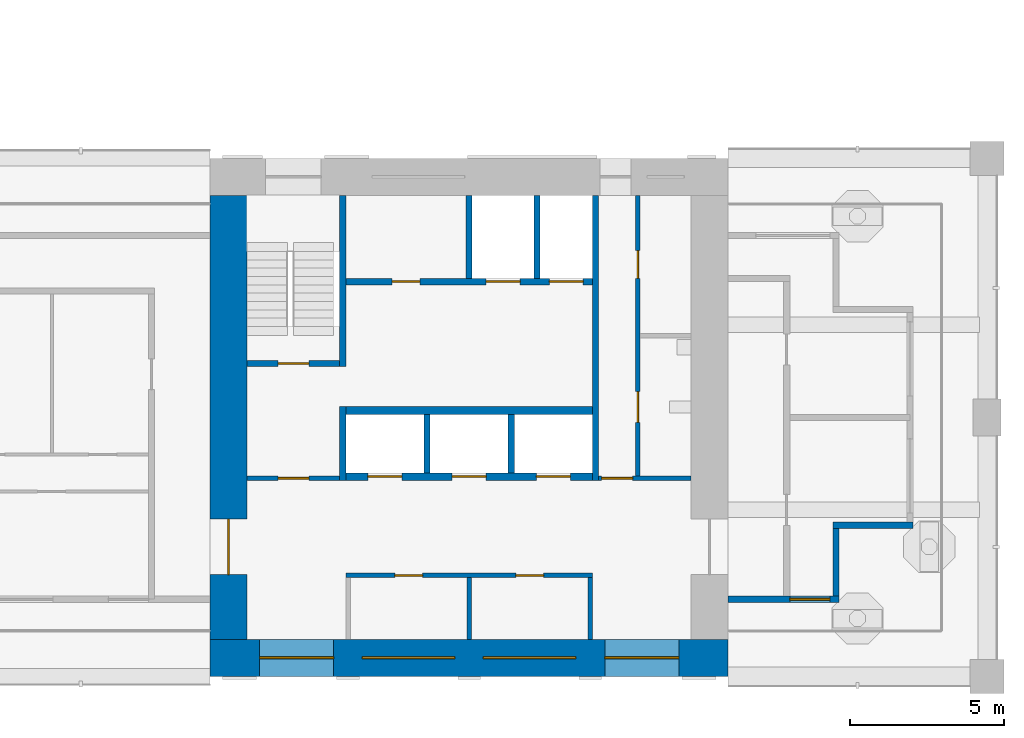
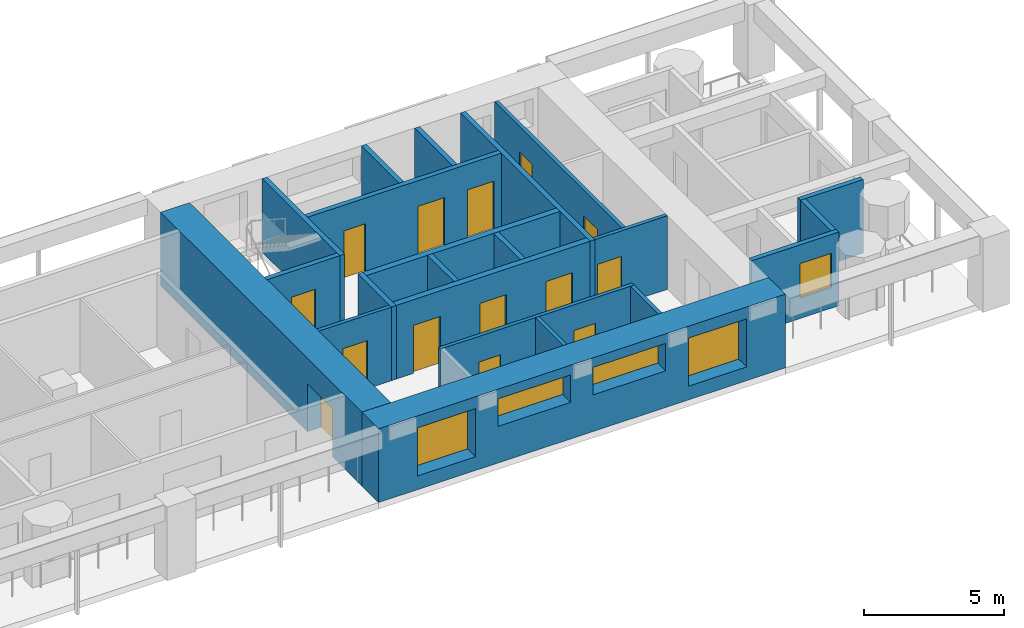
# One storey, part 4 of 13: 22 walls, 14 doors, 5 windows, 19 openings.
"""IFC4 building model written with IfcOpenShell, lengths in metres."""

from ifc_helpers import new_model, si_unit, direction, frame, frame_2d, origin, place, context, subcontext, project, spatial, rectangle, extrude, material, layer, layer_set, type_object, element, fill, save


model = new_model("IFC4")

# Units and contexts
model_context = context("Model", 3, precision=1e-05, world=origin(), true_north=direction((0.0, 1.0)))
body_context = subcontext(model_context, "Body", "Model", "MODEL_VIEW")
ifc_project = project(units=[si_unit("LENGTHUNIT", "METRE"), si_unit("AREAUNIT", "SQUARE_METRE"), si_unit("VOLUMEUNIT", "CUBIC_METRE"), si_unit("PLANEANGLEUNIT", "RADIAN"), si_unit("MASSUNIT", "GRAM", prefix="KILO")], contexts=[model_context])

# Site, building, storey
site_placement = place(None, origin())
site = spatial("IfcSite", under=ifc_project, at=site_placement, CompositionType="ELEMENT")
building_placement = place(site_placement, origin())
building = spatial("IfcBuilding", under=site, at=building_placement, Name="Vermilion Gate Residences", CompositionType="ELEMENT")
storey_placement = place(building_placement, frame((0.0, 0.0, 186.199951171875)))
storey = spatial("IfcBuildingStorey", under=building, at=storey_placement, Name="L48", CompositionType="ELEMENT", Elevation=186.199951171875)

# Walls
ifc_material_1 = material(Name="Masonry blockwork", Category="masonry")
ifc_layer_1 = layer(ifc_material_1, 0.14990234375)
ifc_layer_set_1 = layer_set([ifc_layer_1], Name="BLOCKWORK PARTITION 150 EI 120")
wall_type_1 = type_object("IfcWallType", Name="BLOCKWORK PARTITION 150 EI 120", PredefinedType="PARTITIONING", material=ifc_layer_set_1)
for number, where, z_axis, x_axis, name in (
    (1, (54.324951171875, 9.60009765625, 0.0), (0.0, 0.0, 1.0), (0.0, 1.0, 0.0), "Core room partition A48-RW-E"),
    (2, (50.39990234375, 9.60009765625, 0.0), (0.0, 0.0, 1.0), (0.0, 1.0, 0.0), "Core room partition A48-SR-P0"),
):
    element("IfcWall", number, at=place(storey_placement, frame(where, z_axis=z_axis, x_axis=x_axis)), inside=storey, type_object=wall_type_1, Name=name, PredefinedType="PARTITIONING", context=body_context, shape_type="SweptSolid", body=[
        extrude(rectangle(XDim=2.0, YDim=0.14990234375, at=frame_2d((1.0, 0.0))), origin(), (0.0, 0.0, 1.0), 3.219970703125),
    ])

# Wall, openings, doors
wall_1_placement = place(storey_placement, frame((46.39990234375, 11.675048828125, 0.0), z_axis=(0.0, 0.0, 1.0), x_axis=(1.0, 0.0, 0.0)))
wall_1 = element("IfcWall", 3, at=wall_1_placement, inside=storey, type_object=wall_type_1, Name="Core room partition A48-LR-F", PredefinedType="PARTITIONING", context=body_context, shape_type="SweptSolid", body=[
    extrude(rectangle(XDim=8.0, YDim=0.14990234375, at=frame_2d((4.0, 0.0))), origin(), (0.0, 0.0, 1.0), 3.219970703125),
])
opening_1_placement = place(wall_1_placement, frame((1.58740234375, 0.0, 0.0)))
opening_1 = element("IfcOpeningElement", 4, at=opening_1_placement, cuts=wall_1, Name="Opening DK48003", PredefinedType="OPENING", context=body_context, shape_type="SweptSolid", body=[
    extrude(rectangle(XDim=0.89990234375, YDim=2.10009765625, at=frame_2d((0.449951171875, 1.050048828125))), frame((0.0, 0.0849609375, 0.0), z_axis=(0.0, -1.0, 0.0), x_axis=(1.0, 0.0, 0.0)), (0.0, 0.0, 1.0), 0.169921875),
])
opening_2_placement = place(wall_1_placement, frame((5.512451171875, 0.0, 0.0)))
opening_2 = element("IfcOpeningElement", 5, at=opening_2_placement, cuts=wall_1, Name="Opening DK48004", PredefinedType="OPENING", context=body_context, shape_type="SweptSolid", body=[
    extrude(rectangle(XDim=0.89990234375, YDim=2.10009765625, at=frame_2d((0.449951171875, 1.050048828125))), frame((0.0, 0.0849609375, 0.0), z_axis=(0.0, -1.0, 0.0), x_axis=(1.0, 0.0, 0.0)), (0.0, 0.0, 1.0), 0.169921875),
])
ifc_material_2 = material(Name="Steel", Category="steel")
door_type_1 = type_object("IfcDoorType", Name="SERVICE ROOM DOOR FD60 900 X 2100", OperationType="SINGLE_SWING_LEFT", PredefinedType="DOOR", material=ifc_material_2)
door_1_placement = place(opening_1_placement, frame((0.89990234375, 0.0, 0.0), z_axis=(0.0, 0.0, 1.0), x_axis=(-1.0, 0.0, 0.0)))
door_1 = element("IfcDoor", 6, at=door_1_placement, inside=storey, type_object=door_type_1, Name="Mail room A48", OperationType="SINGLE_SWING_RIGHT", OverallHeight=2.10009765625, OverallWidth=0.89990234375, PredefinedType="DOOR", context=body_context, shape_type="SweptSolid", body=[
    extrude(rectangle(XDim=0.89990234375, YDim=2.10009765625, at=frame_2d((0.449951171875, 1.050048828125))), frame((0.0, 0.02490234375, 0.0), z_axis=(0.0, -1.0, 0.0), x_axis=(1.0, 0.0, 0.0)), (0.0, 0.0, 1.0), 0.050048828125),
])
fill(opening_1, door_1)
door_2_placement = place(opening_2_placement, frame((0.89990234375, 0.0, 0.0), z_axis=(0.0, 0.0, 1.0), x_axis=(-1.0, 0.0, 0.0)))
door_2 = element("IfcDoor", 7, at=door_2_placement, inside=storey, type_object=door_type_1, Name="Cleaner's store A48", OperationType="SINGLE_SWING_RIGHT", OverallHeight=2.10009765625, OverallWidth=0.89990234375, PredefinedType="DOOR", context=body_context, shape_type="SweptSolid", body=[
    extrude(rectangle(XDim=0.89990234375, YDim=2.10009765625, at=frame_2d((0.449951171875, 1.050048828125))), frame((0.0, 0.02490234375, 0.0), z_axis=(0.0, -1.0, 0.0), x_axis=(1.0, 0.0, 0.0)), (0.0, 0.0, 1.0), 0.050048828125),
])
fill(opening_2, door_2)

# Wall, opening, door
wall_2_placement = place(storey_placement, frame((43.199951171875, 14.824951171875, 0.0), z_axis=(0.0, 0.0, 1.0), x_axis=(1.0, 0.0, 0.0)))
wall_2 = element("IfcWall", 8, at=wall_2_placement, inside=storey, type_object=wall_type_1, Name="Core room partition A48-VW-S", PredefinedType="PARTITIONING", context=body_context, shape_type="SweptSolid", body=[
    extrude(rectangle(XDim=3.0, YDim=0.14990234375, at=frame_2d((1.5, 0.0))), origin(), (0.0, 0.0, 1.0), 3.219970703125),
])
opening_3_placement = place(wall_2_placement, frame((1.0, 0.0, 0.0)))
opening_3 = element("IfcOpeningElement", 9, at=opening_3_placement, cuts=wall_2, Name="Opening DK48011", PredefinedType="OPENING", context=body_context, shape_type="SweptSolid", body=[
    extrude(rectangle(XDim=1.0, YDim=2.10009765625, at=frame_2d((0.5, 1.050048828125))), frame((0.0, 0.0849609375, 0.0), z_axis=(0.0, -1.0, 0.0), x_axis=(1.0, 0.0, 0.0)), (0.0, 0.0, 1.0), 0.169921875),
])
ifc_material_3 = material(Name="Steel", Category="steel")
door_type_2 = type_object("IfcDoorType", Name="FIRE DOOR FD60 1000 X 2100", OperationType="SINGLE_SWING_LEFT", PredefinedType="DOOR", material=ifc_material_3)
door_3_placement = place(opening_3_placement, frame((1.0, 0.0, 0.0), z_axis=(0.0, 0.0, 1.0), x_axis=(-1.0, 0.0, 0.0)))
door_3 = element("IfcDoor", 10, at=door_3_placement, inside=storey, type_object=door_type_2, Name="Stair vestibule door A48", OperationType="SINGLE_SWING_RIGHT", OverallHeight=2.10009765625, OverallWidth=1.0, PredefinedType="DOOR", context=body_context, shape_type="SweptSolid", body=[
    extrude(rectangle(XDim=1.0, YDim=2.10009765625, at=frame_2d((0.5, 1.050048828125))), frame((0.0, 0.02490234375, 0.0), z_axis=(0.0, -1.0, 0.0), x_axis=(1.0, 0.0, 0.0)), (0.0, 0.0, 1.0), 0.050048828125),
])
fill(opening_3, door_3)

wall_3_placement = place(storey_placement, frame((54.60009765625, 14.824951171875, 0.0), z_axis=(0.0, 0.0, 1.0), x_axis=(1.0, 0.0, 0.0)))
wall_3 = element("IfcWall", 11, at=wall_3_placement, inside=storey, type_object=wall_type_1, Name="Core room partition A48-ES-S", PredefinedType="PARTITIONING", context=body_context, shape_type="SweptSolid", body=[
    extrude(rectangle(XDim=3.0, YDim=0.14990234375, at=frame_2d((1.5, 0.0))), origin(), (0.0, 0.0, 1.0), 3.219970703125),
])
opening_4_placement = place(wall_3_placement, frame((0.10009765625, 0.0, 0.0)))
opening_4 = element("IfcOpeningElement", 12, at=opening_4_placement, cuts=wall_3, Name="Opening DK48013", PredefinedType="OPENING", context=body_context, shape_type="SweptSolid", body=[
    extrude(rectangle(XDim=1.0, YDim=2.10009765625, at=frame_2d((0.5, 1.050048828125))), frame((0.0, 0.0849609375, 0.0), z_axis=(0.0, -1.0, 0.0), x_axis=(1.0, 0.0, 0.0)), (0.0, 0.0, 1.0), 0.169921875),
])
door_4_placement = place(opening_4_placement, frame((1.0, 0.0, 0.0), z_axis=(0.0, 0.0, 1.0), x_axis=(-1.0, 0.0, 0.0)))
door_4 = element("IfcDoor", 13, at=door_4_placement, inside=storey, type_object=door_type_2, Name="Service corridor door A48", OperationType="SINGLE_SWING_LEFT", OverallHeight=2.10009765625, OverallWidth=1.0, PredefinedType="DOOR", context=body_context, shape_type="SweptSolid", body=[
    extrude(rectangle(XDim=1.0, YDim=2.10009765625, at=frame_2d((0.5, 1.050048828125))), frame((0.0, 0.02490234375, 0.0), z_axis=(0.0, -1.0, 0.0), x_axis=(1.0, 0.0, 0.0)), (0.0, 0.0, 1.0), 0.050048828125),
])
fill(opening_4, door_4)

# Wall, openings, doors
wall_4_placement = place(storey_placement, frame((55.875, 14.89990234375, 0.0), z_axis=(0.0, 0.0, 1.0), x_axis=(0.0, 1.0, 0.0)))
wall_4 = element("IfcWall", 14, at=wall_4_placement, inside=storey, type_object=wall_type_1, Name="Core room partition A48-ES-W", PredefinedType="PARTITIONING", context=body_context, shape_type="SweptSolid", body=[
    extrude(rectangle(XDim=9.10009765625, YDim=0.14990234375, at=frame_2d((4.550048828125, 0.0))), origin(), (0.0, 0.0, 1.0), 3.219970703125),
])
opening_5_placement = place(wall_4_placement, frame((1.737548828125, 0.0, 0.0)))
opening_5 = element("IfcOpeningElement", 15, at=opening_5_placement, cuts=wall_4, Name="Opening DK48014", PredefinedType="OPENING", context=body_context, shape_type="SweptSolid", body=[
    extrude(rectangle(XDim=1.0, YDim=2.10009765625, at=frame_2d((0.5, 1.050048828125))), frame((0.0, 0.0849609375, 0.0), z_axis=(0.0, -1.0, 0.0), x_axis=(1.0, 0.0, 0.0)), (0.0, 0.0, 1.0), 0.169921875),
])
opening_6_placement = place(wall_4_placement, frame((6.41259765625, 0.0, 0.0)))
opening_6 = element("IfcOpeningElement", 16, at=opening_6_placement, cuts=wall_4, Name="Opening DK48015", PredefinedType="OPENING", context=body_context, shape_type="SweptSolid", body=[
    extrude(rectangle(XDim=0.89990234375, YDim=2.10009765625, at=frame_2d((0.449951171875, 1.050048828125))), frame((0.0, 0.0849609375, 0.0), z_axis=(0.0, -1.0, 0.0), x_axis=(1.0, 0.0, 0.0)), (0.0, 0.0, 1.0), 0.169921875),
])
door_5_placement = place(opening_5_placement, frame((1.0, 0.0, 0.0), z_axis=(0.0, 0.0, 1.0), x_axis=(-1.0, 0.0, 0.0)))
door_5 = element("IfcDoor", 17, at=door_5_placement, inside=storey, type_object=door_type_2, Name="Accessible WC A48", OperationType="SINGLE_SWING_RIGHT", OverallHeight=2.10009765625, OverallWidth=1.0, PredefinedType="DOOR", context=body_context, shape_type="SweptSolid", body=[
    extrude(rectangle(XDim=1.0, YDim=2.10009765625, at=frame_2d((0.5, 1.050048828125))), frame((0.0, 0.02490234375, 0.0), z_axis=(0.0, -1.0, 0.0), x_axis=(1.0, 0.0, 0.0)), (0.0, 0.0, 1.0), 0.050048828125),
])
fill(opening_5, door_5)
door_6_placement = place(opening_6_placement, frame((0.89990234375, 0.0, 0.0), z_axis=(0.0, 0.0, 1.0), x_axis=(-1.0, 0.0, 0.0)))
door_6 = element("IfcDoor", 18, at=door_6_placement, inside=storey, type_object=door_type_1, Name="Communications room A48", OperationType="SINGLE_SWING_RIGHT", OverallHeight=2.10009765625, OverallWidth=0.89990234375, PredefinedType="DOOR", context=body_context, shape_type="SweptSolid", body=[
    extrude(rectangle(XDim=0.89990234375, YDim=2.10009765625, at=frame_2d((0.449951171875, 1.050048828125))), frame((0.0, 0.02490234375, 0.0), z_axis=(0.0, -1.0, 0.0), x_axis=(1.0, 0.0, 0.0)), (0.0, 0.0, 1.0), 0.050048828125),
])
fill(opening_6, door_6)

# Wall, opening, window
ifc_material_4 = material(Name="Insulated steel stud wall with terracotta rainscreen", Category="masonry")
ifc_layer_2 = layer(ifc_material_4, 0.199951171875)
ifc_layer_set_2 = layer_set([ifc_layer_2], Name="EXTERNAL WALL 200 TERRACOTTA RAINSCREEN")
wall_type_2 = type_object("IfcWallType", Name="EXTERNAL WALL 200 TERRACOTTA RAINSCREEN", PredefinedType="SOLIDWALL", material=ifc_layer_set_2)
wall_5_placement = place(storey_placement, frame((58.800048828125, 10.89990234375, 0.0), z_axis=(0.0, 0.0, 1.0), x_axis=(1.0, 0.0, 0.0)))
wall_5 = element("IfcWall", 19, at=wall_5_placement, inside=storey, type_object=wall_type_2, Name="External wall", PredefinedType="SOLIDWALL", context=body_context, shape_type="SweptSolid", body=[
    extrude(rectangle(XDim=3.599853515625, YDim=0.199951171875, at=frame_2d((1.7998046875, 0.0))), origin(), (0.0, 0.0, 1.0), 3.219970703125),
])
opening_7_placement = place(wall_5_placement, frame((2.0, 0.0, 0.89990234375)))
opening_7 = element("IfcOpeningElement", 20, at=opening_7_placement, cuts=wall_5, Name="Opening WE48015", PredefinedType="OPENING", context=body_context, shape_type="SweptSolid", body=[
    extrude(rectangle(XDim=1.300048828125, YDim=1.5, at=frame_2d((0.64990234375, 0.75))), frame((0.0, 0.10986328125, 0.0), z_axis=(0.0, -1.0, 0.0), x_axis=(1.0, 0.0, 0.0)), (0.0, 0.0, 1.0), 0.219970703125),
])
ifc_material_5 = material(Name="Aluminium and clear glass", Category="aluminium")
window_type_1 = type_object("IfcWindowType", Name="WINDOW 1300 X 1500", PartitioningType="SINGLE_PANEL", PredefinedType="WINDOW", material=ifc_material_5)
window_1_placement = place(opening_7_placement, origin())
window_1 = element("IfcWindow", 21, at=window_1_placement, inside=storey, type_object=window_type_1, Name="Window", OverallHeight=1.5, OverallWidth=1.300048828125, PartitioningType="SINGLE_PANEL", PredefinedType="WINDOW", context=body_context, shape_type="SweptSolid", body=[
    extrude(rectangle(XDim=1.300048828125, YDim=1.5, at=frame_2d((0.64990234375, 0.75))), frame((0.0, 0.030029296875, 0.0), z_axis=(0.0, -1.0, 0.0), x_axis=(1.0, 0.0, 0.0)), (0.0, 0.0, 1.0), 0.06005859375),
])
fill(opening_7, window_1)

# Walls
wall_6_placement = place(storey_placement, frame((62.300048828125, 11.0, 0.0), z_axis=(0.0, 0.0, 1.0), x_axis=(0.0, 1.0, 0.0)))
element("IfcWall", 22, at=wall_6_placement, inside=storey, type_object=wall_type_2, Name="External wall", PredefinedType="SOLIDWALL", context=body_context, shape_type="SweptSolid", body=[
    extrude(rectangle(XDim=2.199951171875, YDim=0.199951171875, at=frame_2d((1.10009765625, 0.0))), origin(), (0.0, 0.0, 1.0), 3.219970703125),
])
wall_7_placement = place(storey_placement, frame((62.199951171875, 13.300048828125, 0.0), z_axis=(0.0, 0.0, 1.0), x_axis=(1.0, 0.0, 0.0)))
element("IfcWall", 23, at=wall_7_placement, inside=storey, type_object=wall_type_2, Name="External wall", PredefinedType="SOLIDWALL", context=body_context, shape_type="SweptSolid", body=[
    extrude(rectangle(XDim=2.60009765625, YDim=0.199951171875, at=frame_2d((1.300048828125, 0.0))), origin(), (0.0, 0.0, 1.0), 3.219970703125),
])
ifc_material_6 = material(Name="Concrete C60", Category="concrete")
ifc_layer_3 = layer(ifc_material_6, 0.199951171875)
ifc_layer_set_3 = layer_set([ifc_layer_3], Name="RC CORE INTERNAL WALL 200 C60")
wall_type_3 = type_object("IfcWallType", Name="RC CORE INTERNAL WALL 200 C60", PredefinedType="SHEAR", material=ifc_layer_set_3)
for number, where, z_axis, x_axis, name in (
    (24, (49.033447265625, 15.0, 0.0), (0.0, 0.0, 1.0), (0.0, 1.0, 0.0), "Core internal wall A48-HR-D1"),
    (25, (51.7666015625, 15.0, 0.0), (0.0, 0.0, 1.0), (0.0, 1.0, 0.0), "Core internal wall A48-HR-D2"),
):
    element("IfcWall", number, at=place(storey_placement, frame(where, z_axis=z_axis, x_axis=x_axis)), inside=storey, type_object=wall_type_3, Name=name, PredefinedType="SHEAR", context=body_context, shape_type="SweptSolid", body=[
        extrude(rectangle(XDim=1.89990234375, YDim=0.199951171875, at=frame_2d((0.949951171875, 0.0))), origin(), (0.0, 0.0, 1.0), 3.219970703125),
    ])
for number, where, z_axis, x_axis, name in (
    (26, (50.39990234375, 21.300048828125, 0.0), (0.0, 0.0, 1.0), (0.0, 1.0, 0.0), "Core internal wall A48-FF-D0"),
    (27, (52.60009765625, 21.300048828125, 0.0), (0.0, 0.0, 1.0), (0.0, 1.0, 0.0), "Core internal wall A48-FF-D1"),
):
    element("IfcWall", number, at=place(storey_placement, frame(where, z_axis=z_axis, x_axis=x_axis)), inside=storey, type_object=wall_type_3, Name=name, PredefinedType="SHEAR", context=body_context, shape_type="SweptSolid", body=[
        extrude(rectangle(XDim=2.699951171875, YDim=0.199951171875, at=frame_2d((1.35009765625, 0.0))), origin(), (0.0, 0.0, 1.0), 3.219970703125),
    ])

# Wall, openings, doors
wall_8_placement = place(storey_placement, frame((46.39990234375, 21.199951171875, 0.0), z_axis=(0.0, 0.0, 1.0), x_axis=(1.0, 0.0, 0.0)))
wall_8 = element("IfcWall", 28, at=wall_8_placement, inside=storey, type_object=wall_type_3, Name="Core internal wall A48-FF-F", PredefinedType="SHEAR", context=body_context, shape_type="SweptSolid", body=[
    extrude(rectangle(XDim=8.0, YDim=0.199951171875, at=frame_2d((4.0, 0.0))), origin(), (0.0, 0.0, 1.0), 3.219970703125),
])
opening_8_placement = place(wall_8_placement, frame((1.5, 0.0, 0.0)))
opening_8 = element("IfcOpeningElement", 29, at=opening_8_placement, cuts=wall_8, Name="Opening DK48008", PredefinedType="OPENING", context=body_context, shape_type="SweptSolid", body=[
    extrude(rectangle(XDim=0.89990234375, YDim=2.10009765625, at=frame_2d((0.449951171875, 1.050048828125))), frame((0.0, 0.10986328125, 0.0), z_axis=(0.0, -1.0, 0.0), x_axis=(1.0, 0.0, 0.0)), (0.0, 0.0, 1.0), 0.219970703125),
])
opening_9_placement = place(wall_8_placement, frame((4.550048828125, 0.0, 0.0)))
opening_9 = element("IfcOpeningElement", 30, at=opening_9_placement, cuts=wall_8, Name="Opening LD", PredefinedType="OPENING", context=body_context, shape_type="SweptSolid", body=[
    extrude(rectangle(XDim=1.10009765625, YDim=2.10009765625, at=frame_2d((0.550048828125, 1.050048828125))), frame((0.0, 0.10986328125, 0.0), z_axis=(0.0, -1.0, 0.0), x_axis=(1.0, 0.0, 0.0)), (0.0, 0.0, 1.0), 0.219970703125),
])
opening_10_placement = place(wall_8_placement, frame((6.60009765625, 0.0, 0.0)))
opening_10 = element("IfcOpeningElement", 31, at=opening_10_placement, cuts=wall_8, Name="Opening LD", PredefinedType="OPENING", context=body_context, shape_type="SweptSolid", body=[
    extrude(rectangle(XDim=1.10009765625, YDim=2.10009765625, at=frame_2d((0.550048828125, 1.050048828125))), frame((0.0, 0.10986328125, 0.0), z_axis=(0.0, -1.0, 0.0), x_axis=(1.0, 0.0, 0.0)), (0.0, 0.0, 1.0), 0.219970703125),
])
ifc_material_7 = material(Name="Stainless steel", Category="steel")
door_type_3 = type_object("IfcDoorType", Name="LIFT LANDING DOOR E60 1100 X 2100", OperationType="DOUBLE_DOOR_SLIDING", PredefinedType="DOOR", material=ifc_material_7)
door_7_placement = place(opening_9_placement, origin())
door_7 = element("IfcDoor", 32, at=door_7_placement, inside=storey, type_object=door_type_3, Name="Lift landing door LFA1", OperationType="DOUBLE_DOOR_SLIDING", OverallHeight=2.10009765625, OverallWidth=1.10009765625, PredefinedType="DOOR", context=body_context, shape_type="SweptSolid", body=[
    extrude(rectangle(XDim=1.10009765625, YDim=2.10009765625, at=frame_2d((0.550048828125, 1.050048828125))), frame((0.0, 0.02490234375, 0.0), z_axis=(0.0, -1.0, 0.0), x_axis=(1.0, 0.0, 0.0)), (0.0, 0.0, 1.0), 0.050048828125),
])
fill(opening_9, door_7)
door_8_placement = place(opening_10_placement, origin())
door_8 = element("IfcDoor", 33, at=door_8_placement, inside=storey, type_object=door_type_3, Name="Lift landing door LCA1", OperationType="DOUBLE_DOOR_SLIDING", OverallHeight=2.10009765625, OverallWidth=1.10009765625, PredefinedType="DOOR", context=body_context, shape_type="SweptSolid", body=[
    extrude(rectangle(XDim=1.10009765625, YDim=2.10009765625, at=frame_2d((0.550048828125, 1.050048828125))), frame((0.0, 0.02490234375, 0.0), z_axis=(0.0, -1.0, 0.0), x_axis=(1.0, 0.0, 0.0)), (0.0, 0.0, 1.0), 0.050048828125),
])
fill(opening_10, door_8)
door_9_placement = place(opening_8_placement, origin())
door_9 = element("IfcDoor", 34, at=door_9_placement, inside=storey, type_object=door_type_1, Name="Housekeeping store A48", OperationType="SINGLE_SWING_LEFT", OverallHeight=2.10009765625, OverallWidth=0.89990234375, PredefinedType="DOOR", context=body_context, shape_type="SweptSolid", body=[
    extrude(rectangle(XDim=0.89990234375, YDim=2.10009765625, at=frame_2d((0.449951171875, 1.050048828125))), frame((0.0, 0.02490234375, 0.0), z_axis=(0.0, -1.0, 0.0), x_axis=(1.0, 0.0, 0.0)), (0.0, 0.0, 1.0), 0.050048828125),
])
fill(opening_8, door_9)

# Walls
wall_9_placement = place(storey_placement, frame((46.300048828125, 14.75, 0.0), z_axis=(0.0, 0.0, 1.0), x_axis=(0.0, 1.0, 0.0)))
element("IfcWall", 35, at=wall_9_placement, inside=storey, type_object=wall_type_3, Name="Core internal wall A48-WDIV1", PredefinedType="SHEAR", context=body_context, shape_type="SweptSolid", body=[
    extrude(rectangle(XDim=2.39990234375, YDim=0.199951171875, at=frame_2d((1.199951171875, 0.0))), origin(), (0.0, 0.0, 1.0), 3.219970703125),
])
wall_10_placement = place(storey_placement, frame((46.300048828125, 18.449951171875, 0.0), z_axis=(0.0, 0.0, 1.0), x_axis=(0.0, 1.0, 0.0)))
element("IfcWall", 36, at=wall_10_placement, inside=storey, type_object=wall_type_3, Name="Core internal wall A48-WDIV2", PredefinedType="SHEAR", context=body_context, shape_type="SweptSolid", body=[
    extrude(rectangle(XDim=5.550048828125, YDim=0.199951171875, at=frame_2d((2.77490234375, 0.0))), origin(), (0.0, 0.0, 1.0), 3.219970703125),
])

# Wall, opening, door
wall_11_placement = place(storey_placement, frame((43.199951171875, 18.550048828125, 0.0), z_axis=(0.0, 0.0, 1.0), x_axis=(1.0, 0.0, 0.0)))
wall_11 = element("IfcWall", 37, at=wall_11_placement, inside=storey, type_object=wall_type_3, Name="Core internal wall A48-STW-S", PredefinedType="SHEAR", context=body_context, shape_type="SweptSolid", body=[
    extrude(rectangle(XDim=3.0, YDim=0.199951171875, at=frame_2d((1.5, 0.0))), origin(), (0.0, 0.0, 1.0), 3.219970703125),
])
opening_11_placement = place(wall_11_placement, frame((1.0, 0.0, 0.0)))
opening_11 = element("IfcOpeningElement", 38, at=opening_11_placement, cuts=wall_11, Name="Opening DK48012", PredefinedType="OPENING", context=body_context, shape_type="SweptSolid", body=[
    extrude(rectangle(XDim=1.0, YDim=2.10009765625, at=frame_2d((0.5, 1.050048828125))), frame((0.0, 0.10986328125, 0.0), z_axis=(0.0, -1.0, 0.0), x_axis=(1.0, 0.0, 0.0)), (0.0, 0.0, 1.0), 0.219970703125),
])
door_10_placement = place(opening_11_placement, origin())
door_10 = element("IfcDoor", 39, at=door_10_placement, inside=storey, type_object=door_type_2, Name="Stair door A48", OperationType="SINGLE_SWING_LEFT", OverallHeight=2.10009765625, OverallWidth=1.0, PredefinedType="DOOR", context=body_context, shape_type="SweptSolid", body=[
    extrude(rectangle(XDim=1.0, YDim=2.10009765625, at=frame_2d((0.5, 1.050048828125))), frame((0.0, 0.02490234375, 0.0), z_axis=(0.0, -1.0, 0.0), x_axis=(1.0, 0.0, 0.0)), (0.0, 0.0, 1.0), 0.050048828125),
])
fill(opening_11, door_10)

# Wall
wall_12_placement = place(storey_placement, frame((54.5, 14.75, 0.0), z_axis=(0.0, 0.0, 1.0), x_axis=(0.0, 1.0, 0.0)))
element("IfcWall", 40, at=wall_12_placement, inside=storey, type_object=wall_type_3, Name="Core internal wall A48-EDIV", PredefinedType="SHEAR", context=body_context, shape_type="SweptSolid", body=[
    extrude(rectangle(XDim=9.25, YDim=0.199951171875, at=frame_2d((4.625, 0.0))), origin(), (0.0, 0.0, 1.0), 3.219970703125),
])

# Wall, opening, door
ifc_material_8 = material(Name="Concrete C60", Category="concrete")
ifc_layer_4 = layer(ifc_material_8, 1.199951171875)
ifc_layer_set_4 = layer_set([ifc_layer_4], Name="RC CORE WALL 1200 C60")
wall_type_4 = type_object("IfcWallType", Name="RC CORE WALL 1200 C60", PredefinedType="SHEAR", material=ifc_layer_set_4)
wall_13_placement = place(storey_placement, frame((42.60009765625, 9.60009765625, 0.0), z_axis=(0.0, 0.0, 1.0), x_axis=(0.0, 1.0, 0.0)))
wall_13 = element("IfcWall", 41, at=wall_13_placement, inside=storey, type_object=wall_type_4, Name="Core wall A48-OUT-FR", PredefinedType="SHEAR", context=body_context, shape_type="SweptSolid", body=[
    extrude(rectangle(XDim=14.39990234375, YDim=1.199951171875, at=frame_2d((7.199951171875, 0.0))), origin(), (0.0, 0.0, 1.0), 3.219970703125),
])
opening_12_placement = place(wall_13_placement, frame((2.10009765625, 0.0, 0.0)))
opening_12 = element("IfcOpeningElement", 42, at=opening_12_placement, cuts=wall_13, Name="Opening DK48001", PredefinedType="OPENING", context=body_context, shape_type="SweptSolid", body=[
    extrude(rectangle(XDim=1.800048828125, YDim=2.10009765625, at=frame_2d((0.89990234375, 1.050048828125))), frame((0.0, 0.60986328125, 0.0), z_axis=(0.0, -1.0, 0.0), x_axis=(1.0, 0.0, 0.0)), (0.0, 0.0, 1.0), 1.219970703125),
])
ifc_material_9 = material(Name="Steel", Category="steel")
door_type_4 = type_object("IfcDoorType", Name="CORE LOBBY DOOR FD60 1800 X 2100", OperationType="DOUBLE_DOOR_SINGLE_SWING", PredefinedType="DOOR", material=ifc_material_9)
door_11_placement = place(opening_12_placement, frame((1.800048828125, 0.0, 0.0), z_axis=(0.0, 0.0, 1.0), x_axis=(-1.0, 0.0, 0.0)))
door_11 = element("IfcDoor", 43, at=door_11_placement, inside=storey, type_object=door_type_4, Name="Core lobby door A48", OperationType="DOUBLE_DOOR_SINGLE_SWING", OverallHeight=2.10009765625, OverallWidth=1.800048828125, PredefinedType="DOOR", context=body_context, shape_type="SweptSolid", body=[
    extrude(rectangle(XDim=1.800048828125, YDim=2.10009765625, at=frame_2d((0.89990234375, 1.050048828125))), frame((0.0, 0.02490234375, 0.0), z_axis=(0.0, -1.0, 0.0), x_axis=(1.0, 0.0, 0.0)), (0.0, 0.0, 1.0), 0.050048828125),
])
fill(opening_12, door_11)

# Wall, openings, windows
ifc_material_10 = material(Name="Concrete C60 red-oxide pigmented", Category="concrete")
ifc_layer_5 = layer(ifc_material_10, 1.199951171875)
ifc_layer_set_5 = layer_set([ifc_layer_5], Name="RC CORE WALL 1200 C60 RED OXIDE")
wall_type_5 = type_object("IfcWallType", Name="RC CORE WALL 1200 C60 RED OXIDE", PredefinedType="SHEAR", material=ifc_layer_set_5)
wall_14_placement = place(storey_placement, frame((42.0, 9.0, 0.0), z_axis=(0.0, 0.0, 1.0), x_axis=(1.0, 0.0, 0.0)))
wall_14 = element("IfcWall", 44, at=wall_14_placement, inside=storey, type_object=wall_type_5, Name="Core wall A48-OUT-B0", PredefinedType="SHEAR", context=body_context, shape_type="SweptSolid", body=[
    extrude(rectangle(XDim=16.800048828125, YDim=1.199951171875, at=frame_2d((8.39990234375, 0.0))), origin(), (0.0, 0.0, 1.0), 3.219970703125),
])
opening_13_placement = place(wall_14_placement, frame((1.60009765625, 0.0, 0.60009765625)))
opening_13 = element("IfcOpeningElement", 45, at=opening_13_placement, cuts=wall_14, Name="Opening WKA4801", PredefinedType="OPENING", context=body_context, shape_type="SweptSolid", body=[
    extrude(rectangle(XDim=2.39990234375, YDim=2.10009765625, at=frame_2d((1.199951171875, 1.050048828125))), frame((0.0, 0.60986328125, 0.0), z_axis=(0.0, -1.0, 0.0), x_axis=(1.0, 0.0, 0.0)), (0.0, 0.0, 1.0), 1.219970703125),
])
opening_14_placement = place(wall_14_placement, frame((4.9375, 0.0, 1.60009765625)))
opening_14 = element("IfcOpeningElement", 46, at=opening_14_placement, cuts=wall_14, Name="Opening WKA4802", PredefinedType="OPENING", context=body_context, shape_type="SweptSolid", body=[
    extrude(rectangle(XDim=3.0, YDim=1.199951171875, at=frame_2d((1.5, 0.60009765625))), frame((0.0, 0.60986328125, 0.0), z_axis=(0.0, -1.0, 0.0), x_axis=(1.0, 0.0, 0.0)), (0.0, 0.0, 1.0), 1.219970703125),
])
opening_15_placement = place(wall_14_placement, frame((8.862548828125, 0.0, 1.60009765625)))
opening_15 = element("IfcOpeningElement", 47, at=opening_15_placement, cuts=wall_14, Name="Opening WKA4803", PredefinedType="OPENING", context=body_context, shape_type="SweptSolid", body=[
    extrude(rectangle(XDim=3.0, YDim=1.199951171875, at=frame_2d((1.5, 0.60009765625))), frame((0.0, 0.60986328125, 0.0), z_axis=(0.0, -1.0, 0.0), x_axis=(1.0, 0.0, 0.0)), (0.0, 0.0, 1.0), 1.219970703125),
])
opening_16_placement = place(wall_14_placement, frame((12.800048828125, 0.0, 0.60009765625)))
opening_16 = element("IfcOpeningElement", 48, at=opening_16_placement, cuts=wall_14, Name="Opening WKA4804", PredefinedType="OPENING", context=body_context, shape_type="SweptSolid", body=[
    extrude(rectangle(XDim=2.39990234375, YDim=2.10009765625, at=frame_2d((1.199951171875, 1.050048828125))), frame((0.0, 0.60986328125, 0.0), z_axis=(0.0, -1.0, 0.0), x_axis=(1.0, 0.0, 0.0)), (0.0, 0.0, 1.0), 1.219970703125),
])
ifc_material_11 = material(Name="Aluminium and clear glass", Category="aluminium")
window_type_2 = type_object("IfcWindowType", Name="CORE LOBBY WINDOW 2400 X 2100", PartitioningType="SINGLE_PANEL", PredefinedType="WINDOW", material=ifc_material_11)
window_2_placement = place(opening_13_placement, origin())
window_2 = element("IfcWindow", 49, at=window_2_placement, inside=storey, type_object=window_type_2, Name="Core lobby window", OverallHeight=2.10009765625, OverallWidth=2.39990234375, PartitioningType="SINGLE_PANEL", PredefinedType="WINDOW", context=body_context, shape_type="SweptSolid", body=[
    extrude(rectangle(XDim=2.39990234375, YDim=2.10009765625, at=frame_2d((1.199951171875, 1.050048828125))), frame((0.0, 0.030029296875, 0.0), z_axis=(0.0, -1.0, 0.0), x_axis=(1.0, 0.0, 0.0)), (0.0, 0.0, 1.0), 0.06005859375),
])
fill(opening_13, window_2)
window_3_placement = place(opening_16_placement, origin())
window_3 = element("IfcWindow", 50, at=window_3_placement, inside=storey, type_object=window_type_2, Name="Core lobby window", OverallHeight=2.10009765625, OverallWidth=2.39990234375, PartitioningType="SINGLE_PANEL", PredefinedType="WINDOW", context=body_context, shape_type="SweptSolid", body=[
    extrude(rectangle(XDim=2.39990234375, YDim=2.10009765625, at=frame_2d((1.199951171875, 1.050048828125))), frame((0.0, 0.030029296875, 0.0), z_axis=(0.0, -1.0, 0.0), x_axis=(1.0, 0.0, 0.0)), (0.0, 0.0, 1.0), 0.06005859375),
])
fill(opening_16, window_3)
ifc_material_12 = material(Name="Aluminium frame with louvre blades", Category="aluminium")
window_type_3 = type_object("IfcWindowType", Name="CORE LOUVRE 3000 X 1200", PartitioningType="SINGLE_PANEL", PredefinedType="WINDOW", material=ifc_material_12)
window_4_placement = place(opening_14_placement, origin())
window_4 = element("IfcWindow", 51, at=window_4_placement, inside=storey, type_object=window_type_3, Name="Core louvre", OverallHeight=1.199951171875, OverallWidth=3.0, PartitioningType="SINGLE_PANEL", PredefinedType="WINDOW", context=body_context, shape_type="SweptSolid", body=[
    extrude(rectangle(XDim=3.0, YDim=1.199951171875, at=frame_2d((1.5, 0.60009765625))), frame((0.0, 0.030029296875, 0.0), z_axis=(0.0, -1.0, 0.0), x_axis=(1.0, 0.0, 0.0)), (0.0, 0.0, 1.0), 0.06005859375),
])
fill(opening_14, window_4)
window_5_placement = place(opening_15_placement, origin())
window_5 = element("IfcWindow", 52, at=window_5_placement, inside=storey, type_object=window_type_3, Name="Core louvre", OverallHeight=1.199951171875, OverallWidth=3.0, PartitioningType="SINGLE_PANEL", PredefinedType="WINDOW", context=body_context, shape_type="SweptSolid", body=[
    extrude(rectangle(XDim=3.0, YDim=1.199951171875, at=frame_2d((1.5, 0.60009765625))), frame((0.0, 0.030029296875, 0.0), z_axis=(0.0, -1.0, 0.0), x_axis=(1.0, 0.0, 0.0)), (0.0, 0.0, 1.0), 0.06005859375),
])
fill(opening_15, window_5)

# Wall, openings, doors
ifc_material_13 = material(Name="Concrete C60", Category="concrete")
ifc_layer_6 = layer(ifc_material_13, 0.25)
ifc_layer_set_6 = layer_set([ifc_layer_6], Name="RC LIFT SHAFT WALL 250 C60")
wall_type_6 = type_object("IfcWallType", Name="RC LIFT SHAFT WALL 250 C60", PredefinedType="SHEAR", material=ifc_layer_set_6)
wall_15_placement = place(storey_placement, frame((46.39990234375, 14.875, 0.0), z_axis=(0.0, 0.0, 1.0), x_axis=(1.0, 0.0, 0.0)))
wall_15 = element("IfcWall", 53, at=wall_15_placement, inside=storey, type_object=wall_type_6, Name="Lift shaft wall A48-HR-F", PredefinedType="SHEAR", context=body_context, shape_type="SweptSolid", body=[
    extrude(rectangle(XDim=8.0, YDim=0.25, at=frame_2d((4.0, 0.0))), origin(), (0.0, 0.0, 1.0), 3.219970703125),
])
opening_17_placement = place(wall_15_placement, frame((0.716552734375, 0.0, 0.0)))
opening_17 = element("IfcOpeningElement", 54, at=opening_17_placement, cuts=wall_15, Name="Opening LD", PredefinedType="OPENING", context=body_context, shape_type="SweptSolid", body=[
    extrude(rectangle(XDim=1.10009765625, YDim=2.10009765625, at=frame_2d((0.550048828125, 1.050048828125))), frame((0.0, 0.135009765625, 0.0), z_axis=(0.0, -1.0, 0.0), x_axis=(1.0, 0.0, 0.0)), (0.0, 0.0, 1.0), 0.27001953125),
])
opening_18_placement = place(wall_15_placement, frame((3.449951171875, 0.0, 0.0)))
opening_18 = element("IfcOpeningElement", 55, at=opening_18_placement, cuts=wall_15, Name="Opening LD", PredefinedType="OPENING", context=body_context, shape_type="SweptSolid", body=[
    extrude(rectangle(XDim=1.10009765625, YDim=2.10009765625, at=frame_2d((0.550048828125, 1.050048828125))), frame((0.0, 0.135009765625, 0.0), z_axis=(0.0, -1.0, 0.0), x_axis=(1.0, 0.0, 0.0)), (0.0, 0.0, 1.0), 0.27001953125),
])
opening_19_placement = place(wall_15_placement, frame((6.183349609375, 0.0, 0.0)))
opening_19 = element("IfcOpeningElement", 56, at=opening_19_placement, cuts=wall_15, Name="Opening LD", PredefinedType="OPENING", context=body_context, shape_type="SweptSolid", body=[
    extrude(rectangle(XDim=1.10009765625, YDim=2.10009765625, at=frame_2d((0.550048828125, 1.050048828125))), frame((0.0, 0.135009765625, 0.0), z_axis=(0.0, -1.0, 0.0), x_axis=(1.0, 0.0, 0.0)), (0.0, 0.0, 1.0), 0.27001953125),
])
door_12_placement = place(opening_17_placement, origin())
door_12 = element("IfcDoor", 57, at=door_12_placement, inside=storey, type_object=door_type_3, Name="Lift landing door HRA1", OperationType="DOUBLE_DOOR_SLIDING", OverallHeight=2.10009765625, OverallWidth=1.10009765625, PredefinedType="DOOR", context=body_context, shape_type="SweptSolid", body=[
    extrude(rectangle(XDim=1.10009765625, YDim=2.10009765625, at=frame_2d((0.550048828125, 1.050048828125))), frame((0.0, 0.02490234375, 0.0), z_axis=(0.0, -1.0, 0.0), x_axis=(1.0, 0.0, 0.0)), (0.0, 0.0, 1.0), 0.050048828125),
])
fill(opening_17, door_12)
door_13_placement = place(opening_18_placement, origin())
door_13 = element("IfcDoor", 58, at=door_13_placement, inside=storey, type_object=door_type_3, Name="Lift landing door HRA2", OperationType="DOUBLE_DOOR_SLIDING", OverallHeight=2.10009765625, OverallWidth=1.10009765625, PredefinedType="DOOR", context=body_context, shape_type="SweptSolid", body=[
    extrude(rectangle(XDim=1.10009765625, YDim=2.10009765625, at=frame_2d((0.550048828125, 1.050048828125))), frame((0.0, 0.02490234375, 0.0), z_axis=(0.0, -1.0, 0.0), x_axis=(1.0, 0.0, 0.0)), (0.0, 0.0, 1.0), 0.050048828125),
])
fill(opening_18, door_13)
door_14_placement = place(opening_19_placement, origin())
door_14 = element("IfcDoor", 59, at=door_14_placement, inside=storey, type_object=door_type_3, Name="Lift landing door HRA3", OperationType="DOUBLE_DOOR_SLIDING", OverallHeight=2.10009765625, OverallWidth=1.10009765625, PredefinedType="DOOR", context=body_context, shape_type="SweptSolid", body=[
    extrude(rectangle(XDim=1.10009765625, YDim=2.10009765625, at=frame_2d((0.550048828125, 1.050048828125))), frame((0.0, 0.02490234375, 0.0), z_axis=(0.0, -1.0, 0.0), x_axis=(1.0, 0.0, 0.0)), (0.0, 0.0, 1.0), 0.050048828125),
])
fill(opening_19, door_14)

# Wall
wall_16_placement = place(storey_placement, frame((46.39990234375, 17.02490234375, 0.0), z_axis=(0.0, 0.0, 1.0), x_axis=(1.0, 0.0, 0.0)))
element("IfcWall", 60, at=wall_16_placement, inside=storey, type_object=wall_type_6, Name="Lift shaft wall A48-HR-B", PredefinedType="SHEAR", context=body_context, shape_type="SweptSolid", body=[
    extrude(rectangle(XDim=8.0, YDim=0.25, at=frame_2d((4.0, 0.0))), origin(), (0.0, 0.0, 1.0), 3.219970703125),
])

save(model, "model.ifc")
